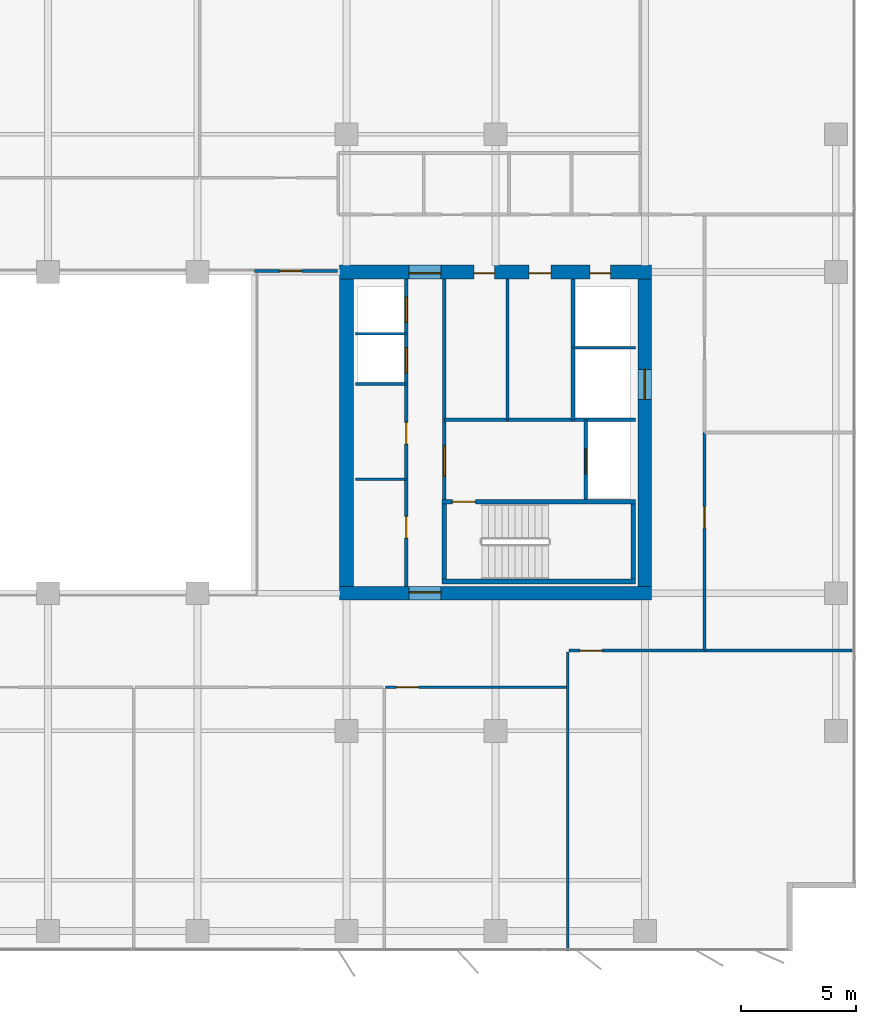
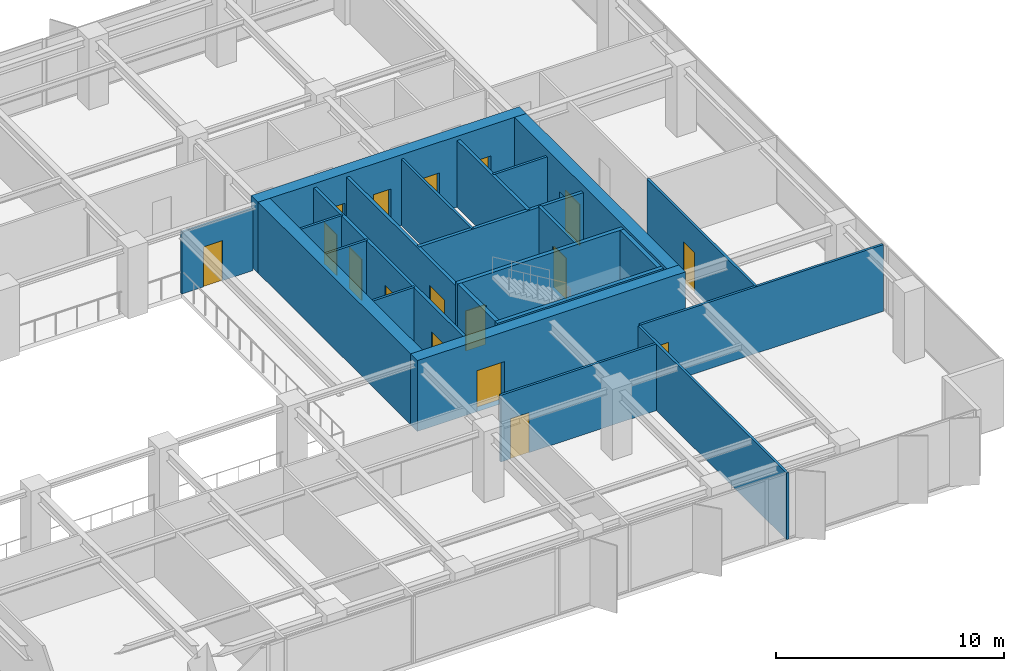
# One storey, part 16 of 22: 23 walls, 17 doors, 17 openings.
"""IFC4 building model written with IfcOpenShell, lengths in metres."""

from ifc_helpers import new_model, si_unit, direction, frame, frame_2d, origin, place, context, subcontext, project, spatial, rectangle, extrude, material, layer, layer_set, type_object, element, fill, save


model = new_model("IFC4")

# Units and contexts
model_context = context("Model", 3, precision=1e-05, world=origin(), true_north=direction((0.0, 1.0)))
body_context = subcontext(model_context, "Body", "Model", "MODEL_VIEW")
ifc_project = project(units=[si_unit("LENGTHUNIT", "METRE"), si_unit("AREAUNIT", "SQUARE_METRE"), si_unit("VOLUMEUNIT", "CUBIC_METRE"), si_unit("PLANEANGLEUNIT", "RADIAN"), si_unit("MASSUNIT", "GRAM", prefix="KILO")], contexts=[model_context])

# Site, building, storey
site_placement = place(None, origin())
site = spatial("IfcSite", under=ifc_project, at=site_placement, CompositionType="ELEMENT")
building_placement = place(site_placement, origin())
building = spatial("IfcBuilding", under=site, at=building_placement, Name="Putna Gate Headquarters", CompositionType="ELEMENT")
storey_placement = place(building_placement, frame((0.0, 0.0, 163.199951171875)))
storey = spatial("IfcBuildingStorey", under=building, at=storey_placement, Name="L40", CompositionType="ELEMENT", Elevation=163.199951171875)

# Wall, opening, door
ifc_material_1 = material(Name="Concrete C50/60", Category="concrete")
ifc_layer_1 = layer(ifc_material_1, 0.60009765625)
ifc_layer_set_1 = layer_set([ifc_layer_1], Name="Concrete C50/60")
wall_type_1 = type_object("IfcWallType", Name="WALL-CORE-600", PredefinedType="SHEAR", material=ifc_layer_set_1)
wall_1_placement = place(storey_placement, frame((51.699951171875, 19.0, 0.0), z_axis=(0.0, 0.0, 1.0), x_axis=(1.0, 0.0, 0.0)))
wall_1 = element("IfcWall", 1, at=wall_1_placement, inside=storey, type_object=wall_type_1, Name="L40 EC Split Core Shear Wall S", PredefinedType="SHEAR", context=body_context, shape_type="SweptSolid", body=[
    extrude(rectangle(XDim=13.60009765625, YDim=0.60009765625, at=frame_2d((6.800048828125, 0.0))), origin(), (0.0, 0.0, 1.0), 3.800048828125),
])
opening_1_placement = place(wall_1_placement, frame((3.02001953125, 0.0, 0.0)))
opening_1 = element("IfcOpeningElement", 2, at=opening_1_placement, cuts=wall_1, Name="Opening FDD-140", PredefinedType="OPENING", context=body_context, shape_type="SweptSolid", body=[
    extrude(rectangle(XDim=1.39990234375, YDim=2.199951171875, at=frame_2d((0.699951171875, 1.10009765625))), frame((0.0, 0.31005859375, 0.0), z_axis=(0.0, -1.0, 0.0), x_axis=(1.0, 0.0, 0.0)), (0.0, 0.0, 1.0), 0.6201171875),
])
ifc_material_2 = material(Name="Double steel fire door", Category="steel")
door_type_1 = type_object("IfcDoorType", Name="DOOR-FIRE-DBL-1400", OperationType="DOUBLE_DOOR_SINGLE_SWING", PredefinedType="DOOR", material=ifc_material_2)
door_1_placement = place(opening_1_placement, origin())
door_1 = element("IfcDoor", 3, at=door_1_placement, inside=storey, type_object=door_type_1, Name="L40 East Lift Lobby South Door", OperationType="DOUBLE_DOOR_SINGLE_SWING", OverallHeight=2.199951171875, OverallWidth=1.39990234375, PredefinedType="DOOR", context=body_context, shape_type="SweptSolid", body=[
    extrude(rectangle(XDim=1.39990234375, YDim=2.199951171875, at=frame_2d((0.699951171875, 1.10009765625))), frame((0.0, 0.0751953125, 0.0), z_axis=(0.0, -1.0, 0.0), x_axis=(1.0, 0.0, 0.0)), (0.0, 0.0, 1.0), 0.050048828125),
])
fill(opening_1, door_1)

# Wall, openings, doors
wall_2_placement = place(storey_placement, frame((51.699951171875, 33.0, 0.0), z_axis=(0.0, 0.0, 1.0), x_axis=(1.0, 0.0, 0.0)))
wall_2 = element("IfcWall", 4, at=wall_2_placement, inside=storey, type_object=wall_type_1, Name="L40 EC Split Core Shear Wall N", PredefinedType="SHEAR", context=body_context, shape_type="SweptSolid", body=[
    extrude(rectangle(XDim=13.60009765625, YDim=0.60009765625, at=frame_2d((6.800048828125, 0.0))), origin(), (0.0, 0.0, 1.0), 3.800048828125),
])
opening_2_placement = place(wall_2_placement, frame((3.02001953125, 0.0, 0.0)))
opening_2 = element("IfcOpeningElement", 5, at=opening_2_placement, cuts=wall_2, Name="Opening FDD-140", PredefinedType="OPENING", context=body_context, shape_type="SweptSolid", body=[
    extrude(rectangle(XDim=1.39990234375, YDim=2.199951171875, at=frame_2d((0.699951171875, 1.10009765625))), frame((0.0, 0.31005859375, 0.0), z_axis=(0.0, -1.0, 0.0), x_axis=(1.0, 0.0, 0.0)), (0.0, 0.0, 1.0), 0.6201171875),
])
opening_3_placement = place(wall_2_placement, frame((10.89990234375, 0.0, 0.0)))
opening_3 = element("IfcOpeningElement", 6, at=opening_3_placement, cuts=wall_2, Name="Opening RD-90", PredefinedType="OPENING", context=body_context, shape_type="SweptSolid", body=[
    extrude(rectangle(XDim=0.89990234375, YDim=2.14990234375, at=frame_2d((0.449951171875, 1.074951171875))), frame((0.0, 0.31005859375, 0.0), z_axis=(0.0, -1.0, 0.0), x_axis=(1.0, 0.0, 0.0)), (0.0, 0.0, 1.0), 0.6201171875),
])
opening_4_placement = place(wall_2_placement, frame((5.85009765625, 0.0, 0.0)))
opening_4 = element("IfcOpeningElement", 7, at=opening_4_placement, cuts=wall_2, Name="Opening IDS-90", PredefinedType="OPENING", context=body_context, shape_type="SweptSolid", body=[
    extrude(rectangle(XDim=0.89990234375, YDim=2.14990234375, at=frame_2d((0.449951171875, 1.074951171875))), frame((0.0, 0.31005859375, 0.0), z_axis=(0.0, -1.0, 0.0), x_axis=(1.0, 0.0, 0.0)), (0.0, 0.0, 1.0), 0.6201171875),
])
opening_5_placement = place(wall_2_placement, frame((8.25, 0.0, 0.0)))
opening_5 = element("IfcOpeningElement", 8, at=opening_5_placement, cuts=wall_2, Name="Opening IDS-95", PredefinedType="OPENING", context=body_context, shape_type="SweptSolid", body=[
    extrude(rectangle(XDim=0.949951171875, YDim=2.14990234375, at=frame_2d((0.47509765625, 1.074951171875))), frame((0.0, 0.31005859375, 0.0), z_axis=(0.0, -1.0, 0.0), x_axis=(1.0, 0.0, 0.0)), (0.0, 0.0, 1.0), 0.6201171875),
])
door_2_placement = place(opening_2_placement, origin())
door_2 = element("IfcDoor", 9, at=door_2_placement, inside=storey, type_object=door_type_1, Name="L40 East Lift Lobby North Door", OperationType="DOUBLE_DOOR_SINGLE_SWING", OverallHeight=2.199951171875, OverallWidth=1.39990234375, PredefinedType="DOOR", context=body_context, shape_type="SweptSolid", body=[
    extrude(rectangle(XDim=1.39990234375, YDim=2.199951171875, at=frame_2d((0.699951171875, 1.10009765625))), frame((0.0, -0.02490234375, 0.0), z_axis=(0.0, -1.0, 0.0), x_axis=(1.0, 0.0, 0.0)), (0.0, 0.0, 1.0), 0.050048828125),
])
fill(opening_2, door_2)
ifc_material_3 = material(Name="Fire-rated utility door")
door_type_2 = type_object("IfcDoorType", Name="DOOR-INT-900", OperationType="NOTDEFINED", PredefinedType="DOOR", material=ifc_material_3)
door_3_placement = place(opening_4_placement, origin())
door_3 = element("IfcDoor", 10, at=door_3_placement, inside=storey, type_object=door_type_2, Name="L40 Telecoms Plant Door", OperationType="SINGLE_SWING_LEFT", OverallHeight=2.14990234375, OverallWidth=0.89990234375, PredefinedType="DOOR", context=body_context, shape_type="SweptSolid", body=[
    extrude(rectangle(XDim=0.89990234375, YDim=2.14990234375, at=frame_2d((0.449951171875, 1.074951171875))), frame((0.0, -0.02490234375, 0.0), z_axis=(0.0, -1.0, 0.0), x_axis=(1.0, 0.0, 0.0)), (0.0, 0.0, 1.0), 0.050048828125),
])
fill(opening_4, door_3)
ifc_material_4 = material(Name="Fire-rated service timber door", Category="wood")
door_type_3 = type_object("IfcDoorType", Name="DOOR-INT-950", OperationType="NOTDEFINED", PredefinedType="DOOR", material=ifc_material_4)
door_4_placement = place(opening_5_placement, origin())
door_4 = element("IfcDoor", 11, at=door_4_placement, inside=storey, type_object=door_type_3, Name="L40 Supplies Store Door", OperationType="SINGLE_SWING_RIGHT", OverallHeight=2.14990234375, OverallWidth=0.949951171875, PredefinedType="DOOR", context=body_context, shape_type="SweptSolid", body=[
    extrude(rectangle(XDim=0.949951171875, YDim=2.14990234375, at=frame_2d((0.47509765625, 1.074951171875))), frame((0.0, -0.02490234375, 0.0), z_axis=(0.0, -1.0, 0.0), x_axis=(1.0, 0.0, 0.0)), (0.0, 0.0, 1.0), 0.050048828125),
])
fill(opening_5, door_4)
ifc_material_5 = material(Name="Steel riser access fire door", Category="steel")
door_type_4 = type_object("IfcDoorType", Name="DOOR-RISER-900", OperationType="NOTDEFINED", PredefinedType="DOOR", material=ifc_material_5)
door_5_placement = place(opening_3_placement, origin())
door_5 = element("IfcDoor", 12, at=door_5_placement, inside=storey, type_object=door_type_4, Name="L40 East Riser Access Door", OperationType="SINGLE_SWING_LEFT", OverallHeight=2.14990234375, OverallWidth=0.89990234375, PredefinedType="DOOR", context=body_context, shape_type="SweptSolid", body=[
    extrude(rectangle(XDim=0.89990234375, YDim=2.14990234375, at=frame_2d((0.449951171875, 1.074951171875))), frame((0.0, -0.02490234375, 0.0), z_axis=(0.0, -1.0, 0.0), x_axis=(1.0, 0.0, 0.0)), (0.0, 0.0, 1.0), 0.050048828125),
])
fill(opening_3, door_5)

# Wall
wall_3_placement = place(storey_placement, frame((52.0, 19.300048828125, 0.0), z_axis=(0.0, 0.0, 1.0), x_axis=(0.0, 1.0, 0.0)))
element("IfcWall", 13, at=wall_3_placement, inside=storey, type_object=wall_type_1, Name="L40 EC Split Core Shear Wall W", PredefinedType="SHEAR", context=body_context, shape_type="SweptSolid", body=[
    extrude(rectangle(XDim=13.39990234375, YDim=0.60009765625, at=frame_2d((6.699951171875, 0.0))), origin(), (0.0, 0.0, 1.0), 3.800048828125),
])

# Wall, opening, door
wall_4_placement = place(storey_placement, frame((65.0, 19.300048828125, 0.0), z_axis=(0.0, 0.0, 1.0), x_axis=(0.0, 1.0, 0.0)))
wall_4 = element("IfcWall", 14, at=wall_4_placement, inside=storey, type_object=wall_type_1, Name="L40 EC Split Core Shear Wall E", PredefinedType="SHEAR", context=body_context, shape_type="SweptSolid", body=[
    extrude(rectangle(XDim=13.39990234375, YDim=0.60009765625, at=frame_2d((6.699951171875, 0.0))), origin(), (0.0, 0.0, 1.0), 3.800048828125),
])
opening_6_placement = place(wall_4_placement, frame((8.14990234375, 0.0, 0.0)))
opening_6 = element("IfcOpeningElement", 15, at=opening_6_placement, cuts=wall_4, Name="Opening LD-2", PredefinedType="OPENING", context=body_context, shape_type="SweptSolid", body=[
    extrude(rectangle(XDim=1.300048828125, YDim=2.199951171875, at=frame_2d((0.64990234375, 1.10009765625))), frame((0.0, 0.31005859375, 0.0), z_axis=(0.0, -1.0, 0.0), x_axis=(1.0, 0.0, 0.0)), (0.0, 0.0, 1.0), 0.6201171875),
])
ifc_material_6 = material(Name="Heavy-duty goods lift sliding landing door")
door_type_5 = type_object("IfcDoorType", Name="DOOR-LIFT-1300", OperationType="DOUBLE_DOOR_SLIDING", PredefinedType="DOOR", material=ifc_material_6)
door_6_placement = place(opening_6_placement, origin())
door_6 = element("IfcDoor", 16, at=door_6_placement, inside=storey, type_object=door_type_5, Name="L40 Goods Lift Landing Door LD-15", OperationType="DOUBLE_DOOR_SLIDING", OverallHeight=2.199951171875, OverallWidth=1.300048828125, PredefinedType="DOOR", context=body_context, shape_type="SweptSolid", body=[
    extrude(rectangle(XDim=1.300048828125, YDim=2.199951171875, at=frame_2d((0.64990234375, 1.10009765625))), frame((0.0, 0.02490234375, 0.0), z_axis=(0.0, -1.0, 0.0), x_axis=(1.0, 0.0, 0.0)), (0.0, 0.0, 1.0), 0.050048828125),
])
fill(opening_6, door_6)

ifc_material_7 = material(Name="Acoustic gypsum board on metal stud")
ifc_layer_2 = layer(ifc_material_7, 0.1201171875)
ifc_layer_set_2 = layer_set([ifc_layer_2], Name="Acoustic gypsum board on metal stud")
wall_type_2 = type_object("IfcWallType", Name="WALL-PART-120", PredefinedType="PARTITIONING", material=ifc_layer_set_2)
wall_5_placement = place(storey_placement, frame((48.0, 33.0400390625, 0.0), z_axis=(0.0, 0.0, 1.0), x_axis=(1.0, 0.0, 0.0)))
wall_5 = element("IfcWall", 17, at=wall_5_placement, inside=storey, type_object=wall_type_2, Name="L40 Interior Wall PART-L40-ATR-E-N", PredefinedType="PARTITIONING", context=body_context, shape_type="SweptSolid", body=[
    extrude(rectangle(XDim=3.60009765625, YDim=0.1201171875, at=frame_2d((1.800048828125, 0.0))), origin(), (0.0, 0.0, 1.0), 3.31201171875),
])
opening_7_placement = place(wall_5_placement, frame((1.10009765625, 0.0, 0.0)))
opening_7 = element("IfcOpeningElement", 18, at=opening_7_placement, cuts=wall_5, Name="Opening ID-95", PredefinedType="OPENING", context=body_context, shape_type="SweptSolid", body=[
    extrude(rectangle(XDim=0.949951171875, YDim=2.14990234375, at=frame_2d((0.47509765625, 1.074951171875))), frame((0.0, 0.070068359375, 0.0), z_axis=(0.0, -1.0, 0.0), x_axis=(1.0, 0.0, 0.0)), (0.0, 0.0, 1.0), 0.14013671875),
])
ifc_material_8 = material(Name="Veneered acoustic timber door", Category="wood")
door_type_6 = type_object("IfcDoorType", Name="DOOR-OFF-950", OperationType="NOTDEFINED", PredefinedType="DOOR", material=ifc_material_8)
door_7_placement = place(opening_7_placement, origin())
door_7 = element("IfcDoor", 19, at=door_7_placement, inside=storey, type_object=door_type_6, Name="L40 East Sky Atrium Lounge Door", OperationType="SINGLE_SWING_LEFT", OverallHeight=2.14990234375, OverallWidth=0.949951171875, PredefinedType="DOOR", context=body_context, shape_type="SweptSolid", body=[
    extrude(rectangle(XDim=0.949951171875, YDim=2.14990234375, at=frame_2d((0.47509765625, 1.074951171875))), frame((0.0, 0.02490234375, 0.0), z_axis=(0.0, -1.0, 0.0), x_axis=(1.0, 0.0, 0.0)), (0.0, 0.0, 1.0), 0.050048828125),
])
fill(opening_7, door_7)

# Walls
wall_6_placement = place(storey_placement, frame((61.643798828125, 3.419921875, 0.0), z_axis=(0.0, 0.0, 1.0), x_axis=(0.0, 1.0, 0.0)))
element("IfcWall", 20, at=wall_6_placement, inside=storey, type_object=wall_type_2, Name="L40 Interior Wall PART-L40-SB-DIV-06", PredefinedType="PARTITIONING", context=body_context, shape_type="SweptSolid", body=[
    extrude(rectangle(XDim=13.02001953125, YDim=0.1201171875, at=frame_2d((6.510009765625, 0.0))), origin(), (0.0, 0.0, 1.0), 3.572021484375),
])
ifc_material_9 = material(Name="Fire-rated shaftwall gypsum board on metal stud")
ifc_layer_3 = layer(ifc_material_9, 0.1201171875)
ifc_layer_set_3 = layer_set([ifc_layer_3], Name="Fire-rated shaftwall gypsum board on metal stud")
wall_type_3 = type_object("IfcWallType", Name="WALL-PART-120-EI120", PredefinedType="PARTITIONING", material=ifc_layer_set_3)
wall_7_placement = place(storey_placement, frame((52.39990234375, 30.31005859375, 0.0), z_axis=(0.0, 0.0, 1.0), x_axis=(1.0, 0.0, 0.0)))
element("IfcWall", 21, at=wall_7_placement, inside=storey, type_object=wall_type_3, Name="L40 Interior Wall CWINT-L40-EC-LF11-DIV", PredefinedType="PARTITIONING", context=body_context, shape_type="SweptSolid", body=[
    extrude(rectangle(XDim=2.2001953125, YDim=0.1201171875, at=frame_2d((1.10009765625, 0.0))), origin(), (0.0, 0.0, 1.0), 3.572021484375),
])
wall_8_placement = place(storey_placement, frame((61.8701171875, 29.699951171875, 0.0), z_axis=(0.0, 0.0, 1.0), x_axis=(1.0, 0.0, 0.0)))
element("IfcWall", 22, at=wall_8_placement, inside=storey, type_object=wall_type_3, Name="L40 Interior Wall CWINT-L40-EC-LF15-N", PredefinedType="PARTITIONING", context=body_context, shape_type="SweptSolid", body=[
    extrude(rectangle(XDim=2.72998046875, YDim=0.1201171875, at=frame_2d((1.364990234375, 0.0))), origin(), (0.0, 0.0, 1.0), 3.572021484375),
])
ifc_material_10 = material(Name="Fire-rated gypsum board on metal stud")
ifc_layer_4 = layer(ifc_material_10, 0.1201171875)
ifc_layer_set_4 = layer_set([ifc_layer_4], Name="Fire-rated gypsum board on metal stud")
wall_type_4 = type_object("IfcWallType", Name="WALL-PART-120-RATED", PredefinedType="PARTITIONING", material=ifc_layer_set_4)
for number, where, z_axis, x_axis, name in (
    (23, (52.39990234375, 23.969970703125, 0.0), (0.0, 0.0, 1.0), (1.0, 0.0, 0.0), "L40 Interior Wall CWINT-L40-EC-REUSE-DIV"),
    (24, (52.39990234375, 28.1201171875, 0.0), (0.0, 0.0, 1.0), (1.0, 0.0, 0.0), "L40 Interior Wall CWINT-L40-EC-LF08-DIV"),
):
    element("IfcWall", number, at=place(storey_placement, frame(where, z_axis=z_axis, x_axis=x_axis)), inside=storey, type_object=wall_type_4, Name=name, PredefinedType="PARTITIONING", context=body_context, shape_type="SweptSolid", body=[
        extrude(rectangle(XDim=2.2001953125, YDim=0.1201171875, at=frame_2d((1.10009765625, 0.0))), origin(), (0.0, 0.0, 1.0), 3.572021484375),
    ])
wall_9_placement = place(storey_placement, frame((59.02001953125, 26.56005859375, 0.0), z_axis=(0.0, 0.0, 1.0), x_axis=(0.0, 1.0, 0.0)))
element("IfcWall", 25, at=wall_9_placement, inside=storey, type_object=wall_type_4, Name="L40 Interior Wall CWINT-L40-EC-K1-DIV", PredefinedType="PARTITIONING", context=body_context, shape_type="SweptSolid", body=[
    extrude(rectangle(XDim=6.139892578125, YDim=0.1201171875, at=frame_2d((3.06982421875, 0.0))), origin(), (0.0, 0.0, 1.0), 3.572021484375),
])

# Wall, opening, door
wall_10_placement = place(storey_placement, frame((53.705322265625, 14.89990234375, 0.0), z_axis=(0.0, 0.0, 1.0), x_axis=(1.0, 0.0, 0.0)))
wall_10 = element("IfcWall", 26, at=wall_10_placement, inside=storey, type_object=wall_type_4, Name="L40 Interior Wall PART-L40-SB-CW-06", PredefinedType="PARTITIONING", context=body_context, shape_type="SweptSolid", body=[
    extrude(rectangle(XDim=7.878662109375, YDim=0.1201171875, at=frame_2d((3.939453125, 0.0))), origin(), (0.0, 0.0, 1.0), 3.572021484375),
])
opening_8_placement = place(wall_10_placement, frame((0.47998046875, 0.0, 0.0)))
opening_8 = element("IfcOpeningElement", 27, at=opening_8_placement, cuts=wall_10, Name="Opening FD-95", PredefinedType="OPENING", context=body_context, shape_type="SweptSolid", body=[
    extrude(rectangle(XDim=0.949951171875, YDim=2.14990234375, at=frame_2d((0.47509765625, 1.074951171875))), frame((0.0, 0.070068359375, 0.0), z_axis=(0.0, -1.0, 0.0), x_axis=(1.0, 0.0, 0.0)), (0.0, 0.0, 1.0), 0.14013671875),
])
ifc_material_11 = material(Name="Acoustic timber fire door", Category="wood")
door_type_7 = type_object("IfcDoorType", Name="DOOR-FIRE-950", OperationType="NOTDEFINED", PredefinedType="DOOR", material=ifc_material_11)
door_8_placement = place(opening_8_placement, origin())
door_8 = element("IfcDoor", 28, at=door_8_placement, inside=storey, type_object=door_type_7, Name="L40 Quiet Wellness Focus Studio 1 Door", OperationType="SINGLE_SWING_LEFT", OverallHeight=2.14990234375, OverallWidth=0.949951171875, PredefinedType="DOOR", context=body_context, shape_type="SweptSolid", body=[
    extrude(rectangle(XDim=0.949951171875, YDim=2.14990234375, at=frame_2d((0.47509765625, 1.074951171875))), frame((0.0, 0.02490234375, 0.0), z_axis=(0.0, -1.0, 0.0), x_axis=(1.0, 0.0, 0.0)), (0.0, 0.0, 1.0), 0.050048828125),
])
fill(opening_8, door_8)

wall_11_placement = place(storey_placement, frame((61.703857421875, 16.5, 0.0), z_axis=(0.0, 0.0, 1.0), x_axis=(1.0, 0.0, 0.0)))
wall_11 = element("IfcWall", 29, at=wall_11_placement, inside=storey, type_object=wall_type_4, Name="L40 Interior Wall PART-L40-SB-CW-07", PredefinedType="PARTITIONING", context=body_context, shape_type="SweptSolid", body=[
    extrude(rectangle(XDim=12.316162109375, YDim=0.1201171875, at=frame_2d((6.158203125, 0.0))), origin(), (0.0, 0.0, 1.0), 3.572021484375),
])
opening_9_placement = place(wall_11_placement, frame((0.47998046875, 0.0, 0.0)))
opening_9 = element("IfcOpeningElement", 30, at=opening_9_placement, cuts=wall_11, Name="Opening FD-95", PredefinedType="OPENING", context=body_context, shape_type="SweptSolid", body=[
    extrude(rectangle(XDim=0.949951171875, YDim=2.14990234375, at=frame_2d((0.47509765625, 1.074951171875))), frame((0.0, 0.070068359375, 0.0), z_axis=(0.0, -1.0, 0.0), x_axis=(1.0, 0.0, 0.0)), (0.0, 0.0, 1.0), 0.14013671875),
])
door_9_placement = place(opening_9_placement, origin())
door_9 = element("IfcDoor", 31, at=door_9_placement, inside=storey, type_object=door_type_7, Name="L40 Cellular Office 4 Door", OperationType="SINGLE_SWING_RIGHT", OverallHeight=2.14990234375, OverallWidth=0.949951171875, PredefinedType="DOOR", context=body_context, shape_type="SweptSolid", body=[
    extrude(rectangle(XDim=0.949951171875, YDim=2.14990234375, at=frame_2d((0.47509765625, 1.074951171875))), frame((0.0, 0.02490234375, 0.0), z_axis=(0.0, -1.0, 0.0), x_axis=(1.0, 0.0, 0.0)), (0.0, 0.0, 1.0), 0.050048828125),
])
fill(opening_9, door_9)

wall_12_placement = place(storey_placement, frame((67.60009765625, 16.5, 0.0), z_axis=(0.0, 0.0, 1.0), x_axis=(0.0, 1.0, 0.0)))
wall_12 = element("IfcWall", 32, at=wall_12_placement, inside=storey, type_object=wall_type_4, Name="L40 Interior Wall PART-L40-EW-CW-1", PredefinedType="PARTITIONING", context=body_context, shape_type="SweptSolid", body=[
    extrude(rectangle(XDim=9.5, YDim=0.1201171875, at=frame_2d((4.75, 0.0))), origin(), (0.0, 0.0, 1.0), 3.572021484375),
])
opening_10_placement = place(wall_12_placement, frame((5.324951171875, 0.0, 0.0)))
opening_10 = element("IfcOpeningElement", 33, at=opening_10_placement, cuts=wall_12, Name="Opening FD-95", PredefinedType="OPENING", context=body_context, shape_type="SweptSolid", body=[
    extrude(rectangle(XDim=0.949951171875, YDim=2.14990234375, at=frame_2d((0.47509765625, 1.074951171875))), frame((0.0, 0.070068359375, 0.0), z_axis=(0.0, -1.0, 0.0), x_axis=(1.0, 0.0, 0.0)), (0.0, 0.0, 1.0), 0.14013671875),
])
door_10_placement = place(opening_10_placement, origin())
door_10 = element("IfcDoor", 34, at=door_10_placement, inside=storey, type_object=door_type_7, Name="L40 East Advisory Office 1 Door", OperationType="SINGLE_SWING_RIGHT", OverallHeight=2.14990234375, OverallWidth=0.949951171875, PredefinedType="DOOR", context=body_context, shape_type="SweptSolid", body=[
    extrude(rectangle(XDim=0.949951171875, YDim=2.14990234375, at=frame_2d((0.47509765625, 1.074951171875))), frame((0.0, 0.02490234375, 0.0), z_axis=(0.0, -1.0, 0.0), x_axis=(1.0, 0.0, 0.0)), (0.0, 0.0, 1.0), 0.050048828125),
])
fill(opening_10, door_10)

# Wall, openings, doors
ifc_material_12 = material(Name="Concrete C40/50", Category="concrete")
ifc_layer_5 = layer(ifc_material_12, 0.159912109375)
ifc_layer_set_5 = layer_set([ifc_layer_5], Name="Concrete C40/50")
wall_type_5 = type_object("IfcWallType", Name="WALL-SHAFT-160", PredefinedType="STANDARD", material=ifc_layer_set_5)
wall_13_placement = place(storey_placement, frame((54.60009765625, 19.300048828125, 0.0), z_axis=(0.0, 0.0, 1.0), x_axis=(0.0, 1.0, 0.0)))
wall_13 = element("IfcWall", 35, at=wall_13_placement, inside=storey, type_object=wall_type_5, Name="L40 Interior Wall CWINT-L40-EC-PL-WALL", PredefinedType="STANDARD", context=body_context, shape_type="SweptSolid", body=[
    extrude(rectangle(XDim=13.39990234375, YDim=0.159912109375, at=frame_2d((6.699951171875, 0.0))), origin(), (0.0, 0.0, 1.0), 3.572021484375),
])
opening_11_placement = place(wall_13_placement, frame((2.10009765625, 0.0, 0.0)))
opening_11 = element("IfcOpeningElement", 36, at=opening_11_placement, cuts=wall_13, Name="Opening IDS-95", PredefinedType="OPENING", context=body_context, shape_type="SweptSolid", body=[
    extrude(rectangle(XDim=0.949951171875, YDim=2.14990234375, at=frame_2d((0.47509765625, 1.074951171875))), frame((0.0, 0.08984375, 0.0), z_axis=(0.0, -1.0, 0.0), x_axis=(1.0, 0.0, 0.0)), (0.0, 0.0, 1.0), 0.179931640625),
])
opening_12_placement = place(wall_13_placement, frame((6.199951171875, 0.0, 0.0)))
opening_12 = element("IfcOpeningElement", 37, at=opening_12_placement, cuts=wall_13, Name="Opening IDS-95", PredefinedType="OPENING", context=body_context, shape_type="SweptSolid", body=[
    extrude(rectangle(XDim=0.949951171875, YDim=2.14990234375, at=frame_2d((0.47509765625, 1.074951171875))), frame((0.0, 0.08984375, 0.0), z_axis=(0.0, -1.0, 0.0), x_axis=(1.0, 0.0, 0.0)), (0.0, 0.0, 1.0), 0.179931640625),
])
opening_13_placement = place(wall_13_placement, frame((9.300048828125, 0.0, 0.0)))
opening_13 = element("IfcOpeningElement", 38, at=opening_13_placement, cuts=wall_13, Name="Opening LD-1", PredefinedType="OPENING", context=body_context, shape_type="SweptSolid", body=[
    extrude(rectangle(XDim=1.10009765625, YDim=2.199951171875, at=frame_2d((0.550048828125, 1.10009765625))), frame((0.0, 0.08984375, 0.0), z_axis=(0.0, -1.0, 0.0), x_axis=(1.0, 0.0, 0.0)), (0.0, 0.0, 1.0), 0.179931640625),
])
opening_14_placement = place(wall_13_placement, frame((11.5, 0.0, 0.0)))
opening_14 = element("IfcOpeningElement", 39, at=opening_14_placement, cuts=wall_13, Name="Opening LD-1", PredefinedType="OPENING", context=body_context, shape_type="SweptSolid", body=[
    extrude(rectangle(XDim=1.10009765625, YDim=2.199951171875, at=frame_2d((0.550048828125, 1.10009765625))), frame((0.0, 0.08984375, 0.0), z_axis=(0.0, -1.0, 0.0), x_axis=(1.0, 0.0, 0.0)), (0.0, 0.0, 1.0), 0.179931640625),
])
door_11_placement = place(opening_11_placement, origin())
door_11 = element("IfcDoor", 40, at=door_11_placement, inside=storey, type_object=door_type_3, Name="L40 Executive Archive Door", OperationType="SINGLE_SWING_RIGHT", OverallHeight=2.14990234375, OverallWidth=0.949951171875, PredefinedType="DOOR", context=body_context, shape_type="SweptSolid", body=[
    extrude(rectangle(XDim=0.949951171875, YDim=2.14990234375, at=frame_2d((0.47509765625, 1.074951171875))), frame((0.0, 0.02490234375, 0.0), z_axis=(0.0, -1.0, 0.0), x_axis=(1.0, 0.0, 0.0)), (0.0, 0.0, 1.0), 0.050048828125),
])
fill(opening_11, door_11)
door_12_placement = place(opening_12_placement, origin())
door_12 = element("IfcDoor", 41, at=door_12_placement, inside=storey, type_object=door_type_3, Name="L40 Comms Distribution Door", OperationType="SINGLE_SWING_LEFT", OverallHeight=2.14990234375, OverallWidth=0.949951171875, PredefinedType="DOOR", context=body_context, shape_type="SweptSolid", body=[
    extrude(rectangle(XDim=0.949951171875, YDim=2.14990234375, at=frame_2d((0.47509765625, 1.074951171875))), frame((0.0, 0.02490234375, 0.0), z_axis=(0.0, -1.0, 0.0), x_axis=(1.0, 0.0, 0.0)), (0.0, 0.0, 1.0), 0.050048828125),
])
fill(opening_12, door_12)
ifc_material_13 = material(Name="Brushed bronze stainless lift landing door")
door_type_8 = type_object("IfcDoorType", Name="DOOR-LIFT-1100", OperationType="DOUBLE_DOOR_SLIDING", PredefinedType="DOOR", material=ifc_material_13)
door_13_placement = place(opening_13_placement, origin())
door_13 = element("IfcDoor", 42, at=door_13_placement, inside=storey, type_object=door_type_8, Name="L40 Lift Landing Door LD-11", OperationType="DOUBLE_DOOR_SLIDING", OverallHeight=2.199951171875, OverallWidth=1.10009765625, PredefinedType="DOOR", context=body_context, shape_type="SweptSolid", body=[
    extrude(rectangle(XDim=1.10009765625, YDim=2.199951171875, at=frame_2d((0.550048828125, 1.10009765625))), frame((0.0, 0.02490234375, 0.0), z_axis=(0.0, -1.0, 0.0), x_axis=(1.0, 0.0, 0.0)), (0.0, 0.0, 1.0), 0.050048828125),
])
fill(opening_13, door_13)
door_14_placement = place(opening_14_placement, origin())
door_14 = element("IfcDoor", 43, at=door_14_placement, inside=storey, type_object=door_type_8, Name="L40 Lift Landing Door LD-12", OperationType="DOUBLE_DOOR_SLIDING", OverallHeight=2.199951171875, OverallWidth=1.10009765625, PredefinedType="DOOR", context=body_context, shape_type="SweptSolid", body=[
    extrude(rectangle(XDim=1.10009765625, YDim=2.199951171875, at=frame_2d((0.550048828125, 1.10009765625))), frame((0.0, 0.02490234375, 0.0), z_axis=(0.0, -1.0, 0.0), x_axis=(1.0, 0.0, 0.0)), (0.0, 0.0, 1.0), 0.050048828125),
])
fill(opening_14, door_14)

# Wall, opening, door
wall_14_placement = place(storey_placement, frame((56.260009765625, 23.090087890625, 0.0), z_axis=(0.0, 0.0, 1.0), x_axis=(0.0, 1.0, 0.0)))
wall_14 = element("IfcWall", 44, at=wall_14_placement, inside=storey, type_object=wall_type_5, Name="L40 Interior Wall CWINT-L40-EC-LOB-E", PredefinedType="STANDARD", context=body_context, shape_type="SweptSolid", body=[
    extrude(rectangle(XDim=9.60986328125, YDim=0.159912109375, at=frame_2d((4.804931640625, 0.0))), origin(), (0.0, 0.0, 1.0), 3.572021484375),
])
opening_15_placement = place(wall_14_placement, frame((1.010009765625, 0.0, 0.0)))
opening_15 = element("IfcOpeningElement", 45, at=opening_15_placement, cuts=wall_14, Name="Opening FDD-130", PredefinedType="OPENING", context=body_context, shape_type="SweptSolid", body=[
    extrude(rectangle(XDim=1.300048828125, YDim=2.199951171875, at=frame_2d((0.64990234375, 1.10009765625))), frame((0.0, 0.08984375, 0.0), z_axis=(0.0, -1.0, 0.0), x_axis=(1.0, 0.0, 0.0)), (0.0, 0.0, 1.0), 0.179931640625),
])
ifc_material_14 = material(Name="Double steel lobby fire door", Category="steel")
door_type_9 = type_object("IfcDoorType", Name="DOOR-FIRE-DBL-1300", OperationType="DOUBLE_DOOR_SINGLE_SWING", PredefinedType="DOOR", material=ifc_material_14)
door_15_placement = place(opening_15_placement, origin())
door_15 = element("IfcDoor", 46, at=door_15_placement, inside=storey, type_object=door_type_9, Name="L40 East Firefighting Lobby Door", OperationType="DOUBLE_DOOR_SINGLE_SWING", OverallHeight=2.199951171875, OverallWidth=1.300048828125, PredefinedType="DOOR", context=body_context, shape_type="SweptSolid", body=[
    extrude(rectangle(XDim=1.300048828125, YDim=2.199951171875, at=frame_2d((0.64990234375, 1.10009765625))), frame((0.0, 0.02490234375, 0.0), z_axis=(0.0, -1.0, 0.0), x_axis=(1.0, 0.0, 0.0)), (0.0, 0.0, 1.0), 0.050048828125),
])
fill(opening_15, door_15)

wall_15_placement = place(storey_placement, frame((62.429931640625, 23.090087890625, 0.0), z_axis=(0.0, 0.0, 1.0), x_axis=(0.0, 1.0, 0.0)))
wall_15 = element("IfcWall", 47, at=wall_15_placement, inside=storey, type_object=wall_type_5, Name="L40 Interior Wall CWINT-L40-EC-LF14-W", PredefinedType="STANDARD", context=body_context, shape_type="SweptSolid", body=[
    extrude(rectangle(XDim=3.469970703125, YDim=0.159912109375, at=frame_2d((1.73486328125, 0.0))), origin(), (0.0, 0.0, 1.0), 3.572021484375),
])
opening_16_placement = place(wall_15_placement, frame((1.10009765625, 0.0, 0.0)))
opening_16 = element("IfcOpeningElement", 48, at=opening_16_placement, cuts=wall_15, Name="Opening LD-1", PredefinedType="OPENING", context=body_context, shape_type="SweptSolid", body=[
    extrude(rectangle(XDim=1.10009765625, YDim=2.199951171875, at=frame_2d((0.550048828125, 1.10009765625))), frame((0.0, 0.08984375, 0.0), z_axis=(0.0, -1.0, 0.0), x_axis=(1.0, 0.0, 0.0)), (0.0, 0.0, 1.0), 0.179931640625),
])
door_16_placement = place(opening_16_placement, origin())
door_16 = element("IfcDoor", 49, at=door_16_placement, inside=storey, type_object=door_type_8, Name="L40 Lift Landing Door LD-14", OperationType="DOUBLE_DOOR_SLIDING", OverallHeight=2.199951171875, OverallWidth=1.10009765625, PredefinedType="DOOR", context=body_context, shape_type="SweptSolid", body=[
    extrude(rectangle(XDim=1.10009765625, YDim=2.199951171875, at=frame_2d((0.550048828125, 1.10009765625))), frame((0.0, 0.02490234375, 0.0), z_axis=(0.0, -1.0, 0.0), x_axis=(1.0, 0.0, 0.0)), (0.0, 0.0, 1.0), 0.050048828125),
])
fill(opening_16, door_16)

# Walls
wall_16_placement = place(storey_placement, frame((56.260009765625, 26.56005859375, 0.0), z_axis=(0.0, 0.0, 1.0), x_axis=(1.0, 0.0, 0.0)))
element("IfcWall", 50, at=wall_16_placement, inside=storey, type_object=wall_type_5, Name="L40 Interior Wall CWINT-L40-EC-FFL-N", PredefinedType="STANDARD", context=body_context, shape_type="SweptSolid", body=[
    extrude(rectangle(XDim=8.340087890625, YDim=0.159912109375, at=frame_2d((4.169921875, 0.0))), origin(), (0.0, 0.0, 1.0), 3.572021484375),
])
wall_17_placement = place(storey_placement, frame((61.8701171875, 26.56005859375, 0.0), z_axis=(0.0, 0.0, 1.0), x_axis=(0.0, 1.0, 0.0)))
element("IfcWall", 51, at=wall_17_placement, inside=storey, type_object=wall_type_5, Name="L40 Interior Wall CWINT-L40-EC-LF15-W", PredefinedType="STANDARD", context=body_context, shape_type="SweptSolid", body=[
    extrude(rectangle(XDim=6.139892578125, YDim=0.159912109375, at=frame_2d((3.06982421875, 0.0))), origin(), (0.0, 0.0, 1.0), 3.572021484375),
])
ifc_layer_6 = layer(ifc_material_12, 0.199951171875)
ifc_layer_set_6 = layer_set([ifc_layer_6], Name="Concrete C40/50")
wall_type_6 = type_object("IfcWallType", Name="WALL-SHAFT-RC200", PredefinedType="SHEAR", material=ifc_layer_set_6)
wall_18_placement = place(storey_placement, frame((56.159912109375, 19.510009765625, 0.0), z_axis=(0.0, 0.0, 1.0), x_axis=(1.0, 0.0, 0.0)))
element("IfcWall", 52, at=wall_18_placement, inside=storey, type_object=wall_type_6, Name="L40 Stair ST2 Structural Shaft Wall S", PredefinedType="SHEAR", context=body_context, shape_type="SweptSolid", body=[
    extrude(rectangle(XDim=8.43017578125, YDim=0.199951171875, at=frame_2d((4.215087890625, 0.0))), origin(), (0.0, 0.0, 1.0), 3.800048828125),
])

# Wall, opening, door
wall_19_placement = place(storey_placement, frame((56.159912109375, 22.989990234375, 0.0), z_axis=(0.0, 0.0, 1.0), x_axis=(1.0, 0.0, 0.0)))
wall_19 = element("IfcWall", 53, at=wall_19_placement, inside=storey, type_object=wall_type_6, Name="L40 Stair ST2 Structural Shaft Wall N", PredefinedType="SHEAR", context=body_context, shape_type="SweptSolid", body=[
    extrude(rectangle(XDim=8.43017578125, YDim=0.199951171875, at=frame_2d((4.215087890625, 0.0))), origin(), (0.0, 0.0, 1.0), 3.800048828125),
])
opening_17_placement = place(wall_19_placement, frame((0.449951171875, 0.0, 0.0)))
opening_17 = element("IfcOpeningElement", 54, at=opening_17_placement, cuts=wall_19, Name="Opening FD-100", PredefinedType="OPENING", context=body_context, shape_type="SweptSolid", body=[
    extrude(rectangle(XDim=1.0, YDim=2.14990234375, at=frame_2d((0.5, 1.074951171875))), frame((0.0, 0.10986328125, 0.0), z_axis=(0.0, -1.0, 0.0), x_axis=(1.0, 0.0, 0.0)), (0.0, 0.0, 1.0), 0.219970703125),
])
ifc_material_15 = material(Name="Powder-coated steel fire door", Category="steel")
door_type_10 = type_object("IfcDoorType", Name="DOOR-FIRE-1000", OperationType="NOTDEFINED", PredefinedType="DOOR", material=ifc_material_15)
door_17_placement = place(opening_17_placement, origin())
door_17 = element("IfcDoor", 55, at=door_17_placement, inside=storey, type_object=door_type_10, Name="L40 Stair ST2 Fire Door", OperationType="SINGLE_SWING_RIGHT", OverallHeight=2.14990234375, OverallWidth=1.0, PredefinedType="DOOR", context=body_context, shape_type="SweptSolid", body=[
    extrude(rectangle(XDim=1.0, YDim=2.14990234375, at=frame_2d((0.5, 1.074951171875))), frame((0.0, 0.02490234375, 0.0), z_axis=(0.0, -1.0, 0.0), x_axis=(1.0, 0.0, 0.0)), (0.0, 0.0, 1.0), 0.050048828125),
])
fill(opening_17, door_17)

# Walls
for number, where, z_axis, x_axis, name in (
    (56, (56.260009765625, 19.610107421875, 0.0), (0.0, 0.0, 1.0), (0.0, 1.0, 0.0), "L40 Stair ST2 Structural Shaft Wall W"),
    (57, (64.489990234375, 19.610107421875, 0.0), (0.0, 0.0, 1.0), (0.0, 1.0, 0.0), "L40 Stair ST2 Structural Shaft Wall E"),
):
    element("IfcWall", number, at=place(storey_placement, frame(where, z_axis=z_axis, x_axis=x_axis)), inside=storey, type_object=wall_type_6, Name=name, PredefinedType="SHEAR", context=body_context, shape_type="SweptSolid", body=[
        extrude(rectangle(XDim=3.27978515625, YDim=0.199951171875, at=frame_2d((1.639892578125, 0.0))), origin(), (0.0, 0.0, 1.0), 3.800048828125),
    ])

save(model, "model.ifc")
